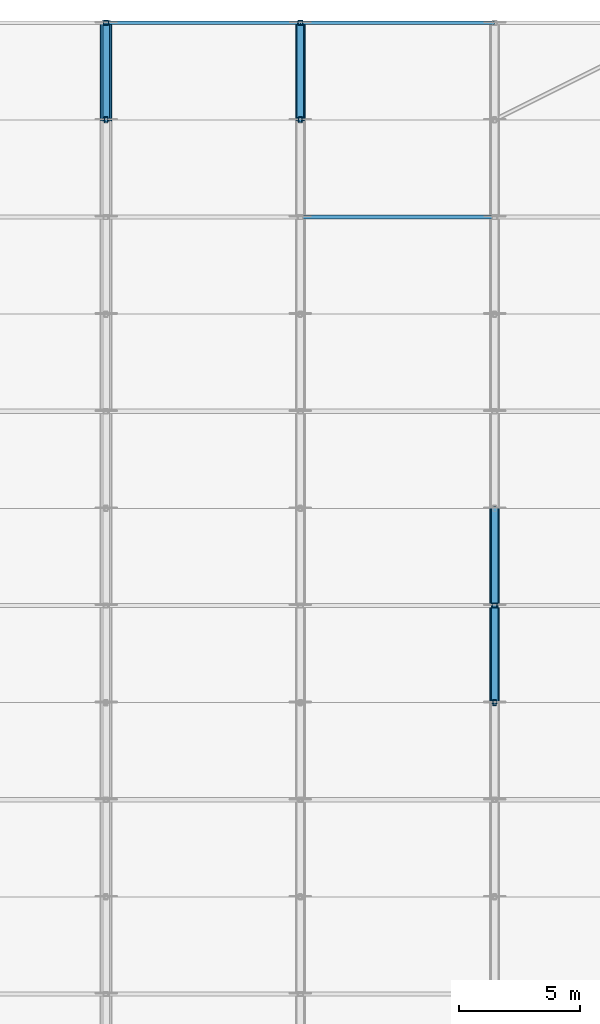
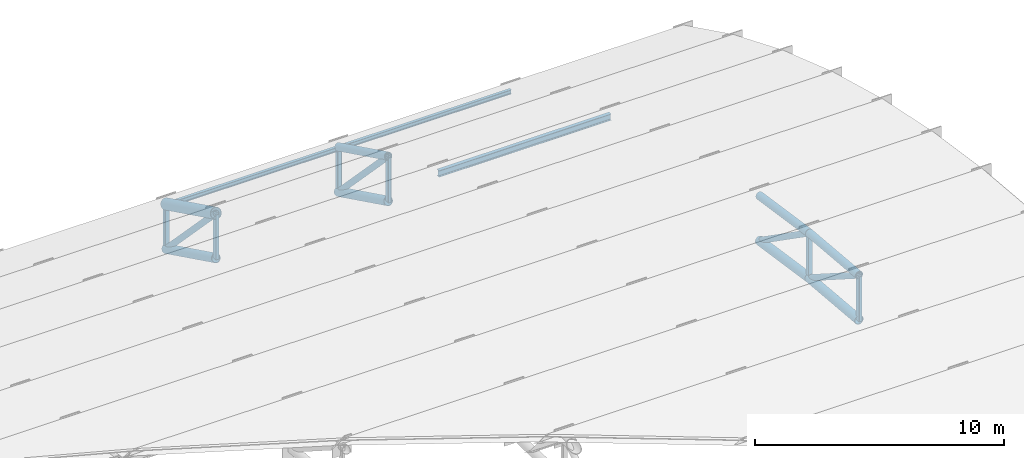
# One storey, part 54 of 98: 21 members.
"""IFC4 building model written with IfcOpenShell, lengths in metres."""

from ifc_helpers import new_model, si_unit, direction, frame, origin, origin_2d, place, context, subcontext, project, spatial, hollow_rectangle, hollow_circle, i_section, extrude, material, material_profile, profile_set, type_object, element, save


model = new_model("IFC4")

# Units and contexts
model_context = context("Model", 3, precision=1e-05, world=origin(), true_north=direction((0.0, 1.0)))
body_context = subcontext(model_context, "Body", "Model", "MODEL_VIEW")
ifc_project = project(units=[si_unit("LENGTHUNIT", "METRE"), si_unit("AREAUNIT", "SQUARE_METRE"), si_unit("VOLUMEUNIT", "CUBIC_METRE"), si_unit("PLANEANGLEUNIT", "RADIAN"), si_unit("MASSUNIT", "GRAM", prefix="KILO")], contexts=[model_context])

# Site, building, storey
site_placement = place(None, origin())
site = spatial("IfcSite", under=ifc_project, at=site_placement, CompositionType="ELEMENT")
building_placement = place(site_placement, origin())
building = spatial("IfcBuilding", under=site, at=building_placement, Name="Tlacozan Convention Centre", CompositionType="ELEMENT")
storey_placement = place(building_placement, frame((0.0, 0.0, 25.800048828125)))
storey = spatial("IfcBuildingStorey", under=building, at=storey_placement, Name="Roof", CompositionType="ELEMENT", Elevation=25.800048828125)

# Members
ifc_material_1 = material(Name="Steel ASTM A500 Grade C", Category="steel")
ifc_material_profile_1 = material_profile(ifc_material_1, hollow_circle(Radius=0.203125, WallThickness=0.015869140625, at=origin_2d()), Name="OC 406.4x15.9")
ifc_profile_set_1 = profile_set([ifc_material_profile_1], Name="Steel ASTM A500 Grade C")
member_type_1 = type_object("IfcMemberType", Name="Arch Bottom Chord OC 406.4x15.9", PredefinedType="CHORD", material=ifc_profile_set_1)
for number, where, z_axis, x_axis, name in (
    (1, (144.0, 122.0, -10.832275390625), (0.0, 0.897300183135, -0.441420866459), (-1.0, 0.0, 0.0), "V2A Roof Truss 19 Bottom Chord 16"),
    (2, (152.0, 122.0, -10.832275390625), (0.0, 0.897300183135, -0.441420866459), (-1.0, 0.0, 0.0), "V2A Roof Truss 20 Bottom Chord 16"),
):
    element("IfcMember", number, at=place(storey_placement, frame(where, z_axis=z_axis, x_axis=x_axis)), inside=storey, type_object=member_type_1, Name=name, PredefinedType="CHORD", context=body_context, shape_type="SweptSolid", body=[
        extrude(hollow_circle(Radius=0.203125, WallThickness=0.015869140625, at=origin_2d()), origin(), (0.0, 0.0, 1.0), 4.457763671875),
    ])
member_1_placement = place(storey_placement, frame((160.0, 98.0, -4.917724609375), z_axis=(0.0, 0.996095959668, -0.088277058926), x_axis=(-1.0, 0.0, 0.0)))
element("IfcMember", 3, at=member_1_placement, inside=storey, type_object=member_type_1, Name="V2A Roof Truss 21 Bottom Chord 10", PredefinedType="CHORD", context=body_context, shape_type="SweptSolid", body=[
    extrude(hollow_circle(Radius=0.203125, WallThickness=0.015869140625, at=origin_2d()), origin(), (0.0, 0.0, 1.0), 4.015625),
])
member_2_placement = place(storey_placement, frame((160.0, 102.0, -5.272216796875), z_axis=(0.0, 0.98911804631, -0.147124064872), x_axis=(-1.0, 0.0, 0.0)))
element("IfcMember", 4, at=member_2_placement, inside=storey, type_object=member_type_1, Name="V2A Roof Truss 21 Bottom Chord 11", PredefinedType="CHORD", context=body_context, shape_type="SweptSolid", body=[
    extrude(hollow_circle(Radius=0.203125, WallThickness=0.015869140625, at=origin_2d()), origin(), (0.0, 0.0, 1.0), 4.0439453125),
])
ifc_material_profile_2 = material_profile(ifc_material_1, hollow_circle(Radius=0.25390625, WallThickness=0.01904296875, at=origin_2d()), Name="OC 508.0x19.1")
ifc_profile_set_2 = profile_set([ifc_material_profile_2], Name="Steel ASTM A500 Grade C")
member_type_2 = type_object("IfcMemberType", Name="Arch Top Chord OC 508x19.1", PredefinedType="CHORD", material=ifc_profile_set_2)
member_3_placement = place(storey_placement, frame((144.0, 122.0, -8.63232421875), z_axis=(0.0, 0.897300183135, -0.441420866459), x_axis=(-1.0, 0.0, 0.0)))
element("IfcMember", 5, at=member_3_placement, inside=storey, type_object=member_type_2, Name="V2A Roof Truss 19 Top Chord 16", PredefinedType="CHORD", context=body_context, shape_type="SweptSolid", body=[
    extrude(hollow_circle(Radius=0.25390625, WallThickness=0.01904296875, at=origin_2d()), origin(), (0.0, 0.0, 1.0), 4.457763671875),
])
ifc_material_profile_3 = material_profile(ifc_material_1, hollow_circle(Radius=0.136474609375, WallThickness=0.0126953125, at=origin_2d()), Name="OC 273.1x12.7")
ifc_profile_set_3 = profile_set([ifc_material_profile_3], Name="Steel ASTM A500 Grade C")
member_type_3 = type_object("IfcMemberType", Name="Arch Web Diagonal OC 273.1x12.7", PredefinedType="BRACE", material=ifc_profile_set_3)
for number, where, z_axis, x_axis, name in (
    (6, (144.0, 122.0, -8.63232421875), (0.0, 0.69244032859, -0.721475149497), (-1.0, 0.0, 0.0), "V2A Roof Truss 19 Web Diagonal 16"),
    (7, (152.0, 122.0, -8.63232421875), (0.0, 0.69244032859, -0.721475149497), (-1.0, 0.0, 0.0), "V2A Roof Truss 20 Web Diagonal 16"),
):
    element("IfcMember", number, at=place(storey_placement, frame(where, z_axis=z_axis, x_axis=x_axis)), inside=storey, type_object=member_type_3, Name=name, PredefinedType="BRACE", context=body_context, shape_type="SweptSolid", body=[
        extrude(hollow_circle(Radius=0.136474609375, WallThickness=0.0126953125, at=origin_2d()), origin(), (0.0, 0.0, 1.0), 5.776611328125),
    ])
member_4_placement = place(storey_placement, frame((160.0, 98.0, -2.7177734375), z_axis=(0.0, 0.842802563321, -0.538222852785), x_axis=(-1.0, 0.0, 0.0)))
element("IfcMember", 8, at=member_4_placement, inside=storey, type_object=member_type_3, Name="V2A Roof Truss 21 Web Diagonal 10", PredefinedType="BRACE", context=body_context, shape_type="SweptSolid", body=[
    extrude(hollow_circle(Radius=0.136474609375, WallThickness=0.0126953125, at=origin_2d()), origin(), (0.0, 0.0, 1.0), 4.74609375),
])
member_5_placement = place(storey_placement, frame((160.0, 102.0, -3.072265625), z_axis=(0.0, 0.819720523855, -0.572763705877), x_axis=(-1.0, 0.0, 0.0)))
element("IfcMember", 9, at=member_5_placement, inside=storey, type_object=member_type_3, Name="V2A Roof Truss 21 Web Diagonal 11", PredefinedType="BRACE", context=body_context, shape_type="SweptSolid", body=[
    extrude(hollow_circle(Radius=0.136474609375, WallThickness=0.0126953125, at=origin_2d()), origin(), (0.0, 0.0, 1.0), 4.879638671875),
])
ifc_material_profile_4 = material_profile(ifc_material_1, hollow_rectangle(XDim=0.203125, YDim=0.203125, WallThickness=0.0126953125, InnerFilletRadius=0.0126953125, OuterFilletRadius=0.02490234375, at=origin_2d()), Name="OR 203x203x12.7")
ifc_profile_set_4 = profile_set([ifc_material_profile_4], Name="Steel ASTM A500 Grade C")
member_type_4 = type_object("IfcMemberType", Name="Arch Web Strut OR 203x203x12.7", PredefinedType="STRUT", material=ifc_profile_set_4)
for number, where, z_axis, x_axis, name in (
    (10, (144.0, 126.0, -12.800048828125), (0.0, 0.0, 1.0), (1.0, 0.0, 0.0), "V2A Roof Truss 19 Vertical Strut 17"),
    (11, (152.0, 126.0, -12.800048828125), (0.0, 0.0, 1.0), (1.0, 0.0, 0.0), "V2A Roof Truss 20 Vertical Strut 17"),
    (12, (160.0, 102.0, -5.272216796875), (0.0, 0.0, 1.0), (1.0, 0.0, 0.0), "V2A Roof Truss 21 Vertical Strut 11"),
):
    element("IfcMember", number, at=place(storey_placement, frame(where, z_axis=z_axis, x_axis=x_axis)), inside=storey, type_object=member_type_4, Name=name, PredefinedType="STRUT", context=body_context, shape_type="SweptSolid", body=[
        extrude(hollow_rectangle(XDim=0.203125, YDim=0.203125, WallThickness=0.0126953125, InnerFilletRadius=0.0126953125, OuterFilletRadius=0.02490234375, at=origin_2d()), origin(), (0.0, 0.0, 1.0), 2.199951171875),
    ])
ifc_material_2 = material(Name="Steel ASTM A992 Grade 50", Category="steel")
ifc_material_profile_5 = material_profile(ifc_material_2, i_section(OverallWidth=0.1669921875, OverallDepth=0.31689453125, WebThickness=0.007568359375, FlangeThickness=0.01318359375, FilletRadius=0.010009765625, at=origin_2d()), Name="IR 305x52.2")
ifc_profile_set_5 = profile_set([ifc_material_profile_5], Name="Steel ASTM A992 Grade 50")
member_type_5 = type_object("IfcMemberType", Name="Roof Purlin IR 305x52.2", PredefinedType="PURLIN", material=ifc_profile_set_5)
member_6_placement = place(storey_placement, frame((152.0, 118.0, -7.041259765625), z_axis=(1.0, 0.0, 0.0), x_axis=(0.0, 1.0, 0.0)))
element("IfcMember", 13, at=member_6_placement, inside=storey, type_object=member_type_5, Name="V2A Roof Truss Purlin 20.15", PredefinedType="PURLIN", context=body_context, shape_type="SweptSolid", body=[
    extrude(i_section(OverallWidth=0.1669921875, OverallDepth=0.31689453125, WebThickness=0.007568359375, FlangeThickness=0.01318359375, FilletRadius=0.010009765625, at=origin_2d()), origin(), (0.0, 0.0, 1.0), 8.0),
])
ifc_material_profile_6 = material_profile(ifc_material_1, hollow_circle(Radius=0.177734375, WallThickness=0.015869140625, at=origin_2d()), Name="OC 355.6x15.9")
ifc_profile_set_6 = profile_set([ifc_material_profile_6], Name="Steel ASTM A500 Grade C")
member_type_6 = type_object("IfcMemberType", Name="Secondary Arch Chord OC 355.6x15.9", PredefinedType="CHORD", material=ifc_profile_set_6)
member_7_placement = place(storey_placement, frame((152.0, 122.0, -8.63232421875), z_axis=(0.0, 0.897300183135, -0.441420866459), x_axis=(-1.0, 0.0, 0.0)))
element("IfcMember", 14, at=member_7_placement, inside=storey, type_object=member_type_6, Name="V2A Roof Truss 20 Top Chord 16", PredefinedType="CHORD", context=body_context, shape_type="SweptSolid", body=[
    extrude(hollow_circle(Radius=0.177734375, WallThickness=0.015869140625, at=origin_2d()), origin(), (0.0, 0.0, 1.0), 4.457763671875),
])
member_8_placement = place(storey_placement, frame((160.0, 98.0, -2.7177734375), z_axis=(0.0, 0.996095959668, -0.088277058926), x_axis=(-1.0, 0.0, 0.0)))
element("IfcMember", 15, at=member_8_placement, inside=storey, type_object=member_type_6, Name="V2A Roof Truss 21 Top Chord 10", PredefinedType="CHORD", context=body_context, shape_type="SweptSolid", body=[
    extrude(hollow_circle(Radius=0.177734375, WallThickness=0.015869140625, at=origin_2d()), origin(), (0.0, 0.0, 1.0), 4.015625),
])
member_9_placement = place(storey_placement, frame((160.0, 102.0, -3.072265625), z_axis=(0.0, 0.98911804631, -0.147124064872), x_axis=(-1.0, 0.0, 0.0)))
element("IfcMember", 16, at=member_9_placement, inside=storey, type_object=member_type_6, Name="V2A Roof Truss 21 Top Chord 11", PredefinedType="CHORD", context=body_context, shape_type="SweptSolid", body=[
    extrude(hollow_circle(Radius=0.177734375, WallThickness=0.015869140625, at=origin_2d()), origin(), (0.0, 0.0, 1.0), 4.0439453125),
])
ifc_material_profile_7 = material_profile(ifc_material_2, i_section(OverallWidth=0.134033203125, OverallDepth=0.2099609375, WebThickness=0.00634765625, FlangeThickness=0.01025390625, FilletRadius=0.008056640625, at=origin_2d()), Name="IR 203x31.3")
ifc_profile_set_7 = profile_set([ifc_material_profile_7], Name="Steel ASTM A992 Grade 50")
member_type_7 = type_object("IfcMemberType", Name="Secondary Eave Purlin IR 203x31.3", PredefinedType="PURLIN", material=ifc_profile_set_7)
for number, where, z_axis, x_axis, name in (
    (17, (144.0, 126.0, -10.6650390625), (1.0, 0.0, 0.0), (0.0, 1.0, 0.0), "V2A Roof Truss Purlin 19.17"),
    (18, (152.0, 126.0, -10.6650390625), (1.0, 0.0, 0.0), (0.0, 1.0, 0.0), "V2A Roof Truss Purlin 20.17"),
):
    element("IfcMember", number, at=place(storey_placement, frame(where, z_axis=z_axis, x_axis=x_axis)), inside=storey, type_object=member_type_7, Name=name, PredefinedType="PURLIN", context=body_context, shape_type="SweptSolid", body=[
        extrude(i_section(OverallWidth=0.134033203125, OverallDepth=0.2099609375, WebThickness=0.00634765625, FlangeThickness=0.01025390625, FilletRadius=0.008056640625, at=origin_2d()), origin(), (0.0, 0.0, 1.0), 8.0),
    ])
ifc_material_profile_8 = material_profile(ifc_material_1, hollow_rectangle(XDim=0.15234375, YDim=0.25390625, WallThickness=0.0126953125, InnerFilletRadius=0.0126953125, OuterFilletRadius=0.02490234375, at=origin_2d()), Name="OR 254x152x12.7")
ifc_profile_set_8 = profile_set([ifc_material_profile_8], Name="Steel ASTM A500 Grade C")
member_type_8 = type_object("IfcMemberType", Name="Truss Secondary Strut OR 254x152x12.7", PredefinedType="STRUT", material=ifc_profile_set_8)
for number, where, z_axis, x_axis, name in (
    (19, (144.0, 122.0, -10.832275390625), (0.0, 0.0, 1.0), (1.0, 0.0, 0.0), "V2A Roof Truss 19 Vertical Strut 16"),
    (20, (152.0, 122.0, -10.832275390625), (0.0, 0.0, 1.0), (1.0, 0.0, 0.0), "V2A Roof Truss 20 Vertical Strut 16"),
    (21, (160.0, 98.0, -4.917724609375), (0.0, 0.0, 1.0), (1.0, 0.0, 0.0), "V2A Roof Truss 21 Vertical Strut 10"),
):
    element("IfcMember", number, at=place(storey_placement, frame(where, z_axis=z_axis, x_axis=x_axis)), inside=storey, type_object=member_type_8, Name=name, PredefinedType="STRUT", context=body_context, shape_type="SweptSolid", body=[
        extrude(hollow_rectangle(XDim=0.15234375, YDim=0.25390625, WallThickness=0.0126953125, InnerFilletRadius=0.0126953125, OuterFilletRadius=0.02490234375, at=origin_2d()), origin(), (0.0, 0.0, 1.0), 2.199951171875),
    ])

save(model, "model.ifc")
